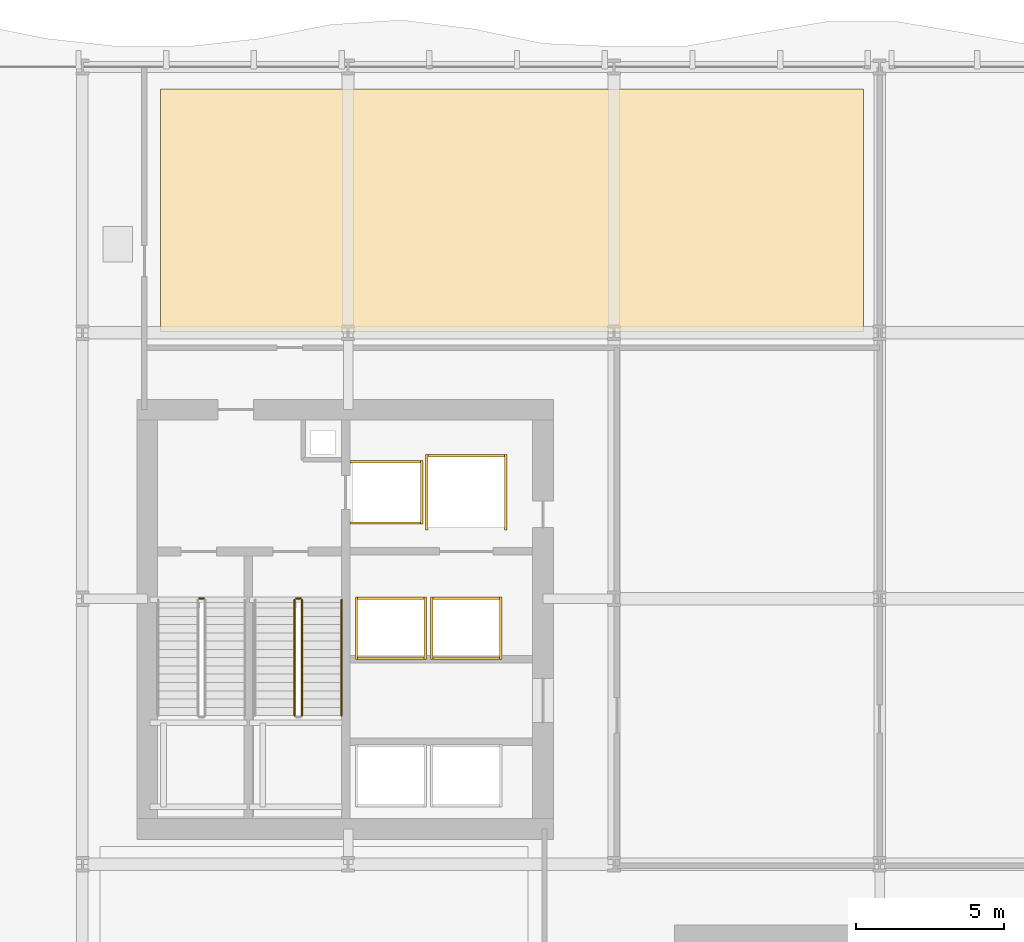
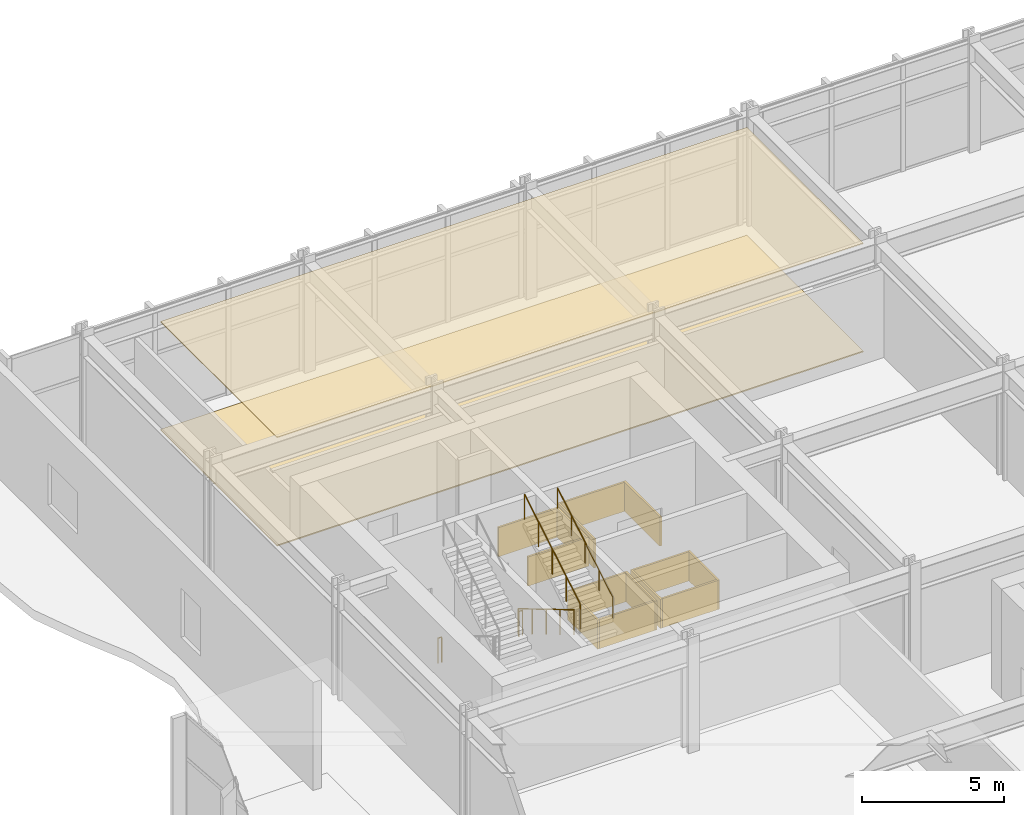
# One storey, part 26 of 28: 16 coverings, 5 railings.
"""IFC4 building model written with IfcOpenShell, lengths in metres."""

from ifc_helpers import new_model, si_unit, direction, frame, origin, origin_2d, place, context, subcontext, project, spatial, polyline, rectangle, circle, outline, extrude, material, layer, layer_set, type_object, element, save


model = new_model("IFC4")

# Units and contexts
model_context = context("Model", 3, precision=1e-05, world=origin(), true_north=direction((0.0, 1.0)))
body_context = subcontext(model_context, "Body", "Model", "MODEL_VIEW")
ifc_project = project(units=[si_unit("LENGTHUNIT", "METRE"), si_unit("AREAUNIT", "SQUARE_METRE"), si_unit("VOLUMEUNIT", "CUBIC_METRE"), si_unit("PLANEANGLEUNIT", "RADIAN"), si_unit("MASSUNIT", "GRAM", prefix="KILO")], contexts=[model_context])

# Site, building, storey
site_placement = place(None, origin())
site = spatial("IfcSite", under=ifc_project, at=site_placement, CompositionType="ELEMENT")
building_placement = place(site_placement, origin())
building = spatial("IfcBuilding", under=site, at=building_placement, Name="Solvaryn Broadcast Tower", CompositionType="ELEMENT")
storey_placement = place(building_placement, frame((0.0, 0.0, 16.199951171875)))
storey = spatial("IfcBuildingStorey", under=building, at=storey_placement, Name="L03", CompositionType="ELEMENT", Elevation=16.199951171875)

# Coverings
ifc_material_1 = material(Name="Studio Acoustic Mineral-Wool Baffle Ceiling", Category="concrete")
ifc_layer_1 = layer(ifc_material_1, 0.06005859375)
ifc_layer_set_1 = layer_set([ifc_layer_1], Name="CV-CEIL-BAFFLE")
covering_type_1 = type_object("IfcCoveringType", Name="CV-CEIL-BAFFLE", PredefinedType="CEILING", material=ifc_layer_set_1)
covering_1_placement = place(storey_placement, frame((0.0, 0.0, 4.64013671875)))
element("IfcCovering", 1, at=covering_1_placement, inside=storey, type_object=covering_type_1, Name="L03 Room Acoustic Ceiling 2", PredefinedType="CEILING", context=body_context, shape_type="SweptSolid", body=[
    extrude(outline(polyline([(11.64990234375, 45.050048828125), (35.449951171875, 45.050048828125), (35.449951171875, 53.25), (11.64990234375, 53.25), (11.64990234375, 45.050048828125)])), origin(), (0.0, 0.0, 1.0), 0.039794921875),
])
ifc_material_2 = material(Name="Isolated Broadcast Studio Floating Acoustic Floor", Category="concrete")
ifc_layer_2 = layer(ifc_material_2, 0.080078125)
ifc_layer_set_2 = layer_set([ifc_layer_2], Name="CV-FLOOR-STUDIO")
covering_type_2 = type_object("IfcCoveringType", Name="CV-FLOOR-STUDIO", PredefinedType="FLOORING", material=ifc_layer_set_2)
covering_2_placement = place(storey_placement, origin())
element("IfcCovering", 2, at=covering_2_placement, inside=storey, type_object=covering_type_2, Name="L03 Room Acoustic Floor Finish 2", PredefinedType="FLOORING", context=body_context, shape_type="SweptSolid", body=[
    extrude(outline(polyline([(11.64990234375, 45.050048828125), (35.449951171875, 45.050048828125), (35.449951171875, 53.25), (11.64990234375, 53.25), (11.64990234375, 45.050048828125)])), origin(), (0.0, 0.0, 1.0), 0.050048828125),
])
ifc_material_3 = material(Name="Fire-Rated Gypsum Shaftwall Liner", Category="concrete")
ifc_layer_3 = layer(ifc_material_3, 0.080078125)
ifc_layer_set_3 = layer_set([ifc_layer_3], Name="CV-SHAFT-LINER")
covering_type_3 = type_object("IfcCoveringType", Name="CV-SHAFT-LINER", PredefinedType="CLADDING", material=ifc_layer_set_3)
for number, where, z_axis, x_axis, name in (
    (3, (19.300048828125, 40.639892578125, 0.0), (0.0, 0.0, 1.0), (1.0, 0.0, 0.0), "L03 FL1 Hoistway Shaft Liner North"),
    (4, (19.300048828125, 38.56005859375, 0.0), (0.0, 0.0, 1.0), (1.0, 0.0, 0.0), "L03 FL1 Hoistway Shaft Liner South"),
):
    element("IfcCovering", number, at=place(storey_placement, frame(where, z_axis=z_axis, x_axis=x_axis)), inside=storey, type_object=covering_type_3, Name=name, PredefinedType="CLADDING", context=body_context, shape_type="SweptSolid", body=[
        extrude(rectangle(XDim=2.4599609375, YDim=0.080078125, at=origin_2d()), origin(), (0.0, 0.0, 1.0), 1.25),
    ])
covering_3_placement = place(storey_placement, frame((20.489990234375, 39.60009765625, 0.0), z_axis=(0.0, 0.0, 1.0), x_axis=(1.0, 0.0, 0.0)))
element("IfcCovering", 5, at=covering_3_placement, inside=storey, type_object=covering_type_3, Name="L03 FL1 Hoistway Shaft Liner East", PredefinedType="CLADDING", context=body_context, shape_type="SweptSolid", body=[
    extrude(rectangle(XDim=0.080078125, YDim=2.159912109375, at=origin_2d()), origin(), (0.0, 0.0, 1.0), 1.25),
])
covering_4_placement = place(storey_placement, frame((22.0, 40.840087890625, 0.0), z_axis=(0.0, 0.0, 1.0), x_axis=(1.0, 0.0, 0.0)))
element("IfcCovering", 6, at=covering_4_placement, inside=storey, type_object=covering_type_3, Name="L03 SV1 Hoistway Shaft Liner North", PredefinedType="CLADDING", context=body_context, shape_type="SweptSolid", body=[
    extrude(rectangle(XDim=2.760009765625, YDim=0.080078125, at=origin_2d()), origin(), (0.0, 0.0, 1.0), 1.25),
])
for number, where, z_axis, x_axis, name in (
    (7, (23.340087890625, 39.60009765625, 0.0), (0.0, 0.0, 1.0), (1.0, 0.0, 0.0), "L03 SV1 Hoistway Shaft Liner East"),
    (8, (20.659912109375, 39.60009765625, 0.0), (0.0, 0.0, 1.0), (1.0, 0.0, 0.0), "L03 SV1 Hoistway Shaft Liner West"),
):
    element("IfcCovering", number, at=place(storey_placement, frame(where, z_axis=z_axis, x_axis=x_axis)), inside=storey, type_object=covering_type_3, Name=name, PredefinedType="CLADDING", context=body_context, shape_type="SweptSolid", body=[
        extrude(rectangle(XDim=0.080078125, YDim=2.56005859375, at=origin_2d()), origin(), (0.0, 0.0, 1.0), 1.25),
    ])
for number, where, z_axis, x_axis, name in (
    (9, (19.449951171875, 36.014892578125, 0.0), (0.0, 0.0, 1.0), (1.0, 0.0, 0.0), "L03 PH3 Hoistway Shaft Liner North"),
    (10, (19.449951171875, 33.985107421875, 0.0), (0.0, 0.0, 1.0), (1.0, 0.0, 0.0), "L03 PH3 Hoistway Shaft Liner South"),
):
    element("IfcCovering", number, at=place(storey_placement, frame(where, z_axis=z_axis, x_axis=x_axis)), inside=storey, type_object=covering_type_3, Name=name, PredefinedType="CLADDING", context=body_context, shape_type="SweptSolid", body=[
        extrude(rectangle(XDim=2.409912109375, YDim=0.080078125, at=origin_2d()), origin(), (0.0, 0.0, 1.0), 1.25),
    ])
for number, where, z_axis, x_axis, name in (
    (11, (20.614990234375, 35.0, 0.0), (0.0, 0.0, 1.0), (1.0, 0.0, 0.0), "L03 PH3 Hoistway Shaft Liner East"),
    (12, (18.284912109375, 35.0, 0.0), (0.0, 0.0, 1.0), (1.0, 0.0, 0.0), "L03 PH3 Hoistway Shaft Liner West"),
):
    element("IfcCovering", number, at=place(storey_placement, frame(where, z_axis=z_axis, x_axis=x_axis)), inside=storey, type_object=covering_type_3, Name=name, PredefinedType="CLADDING", context=body_context, shape_type="SweptSolid", body=[
        extrude(rectangle(XDim=0.080078125, YDim=2.110107421875, at=origin_2d()), origin(), (0.0, 0.0, 1.0), 1.25),
    ])
for number, where, z_axis, x_axis, name in (
    (13, (22.0, 36.014892578125, 0.0), (0.0, 0.0, 1.0), (1.0, 0.0, 0.0), "L03 PH4 Hoistway Shaft Liner North"),
    (14, (22.0, 33.985107421875, 0.0), (0.0, 0.0, 1.0), (1.0, 0.0, 0.0), "L03 PH4 Hoistway Shaft Liner South"),
):
    element("IfcCovering", number, at=place(storey_placement, frame(where, z_axis=z_axis, x_axis=x_axis)), inside=storey, type_object=covering_type_3, Name=name, PredefinedType="CLADDING", context=body_context, shape_type="SweptSolid", body=[
        extrude(rectangle(XDim=2.409912109375, YDim=0.080078125, at=origin_2d()), origin(), (0.0, 0.0, 1.0), 1.25),
    ])
for number, where, z_axis, x_axis, name in (
    (15, (23.1650390625, 35.0, 0.0), (0.0, 0.0, 1.0), (1.0, 0.0, 0.0), "L03 PH4 Hoistway Shaft Liner East"),
    (16, (20.8349609375, 35.0, 0.0), (0.0, 0.0, 1.0), (1.0, 0.0, 0.0), "L03 PH4 Hoistway Shaft Liner West"),
):
    element("IfcCovering", number, at=place(storey_placement, frame(where, z_axis=z_axis, x_axis=x_axis)), inside=storey, type_object=covering_type_3, Name=name, PredefinedType="CLADDING", context=body_context, shape_type="SweptSolid", body=[
        extrude(rectangle(XDim=0.080078125, YDim=2.110107421875, at=origin_2d()), origin(), (0.0, 0.0, 1.0), 1.25),
    ])

# Railings
ifc_material_4 = material(Name="Painted Steel Stair Well Guard", Category="steel")
railing_type_1 = type_object("IfcRailingType", Name="RL-STAIR-GUARD", PredefinedType="BALUSTRADE", material=ifc_material_4)
railing_1_placement = place(storey_placement, frame((12.9599609375, 36.010009765625, 0.0)))
element("IfcRailing", 17, at=railing_1_placement, inside=storey, type_object=railing_type_1, Name="L03 ST1 stair guard 4", PredefinedType="BALUSTRADE", context=body_context, shape_type="SweptSolid", body=[
    extrude(circle(Radius=0.02392578125, at=origin_2d()), frame((0.0, 0.0, 1.076171875), z_axis=(1.0, 0.0, 0.0), x_axis=(0.0, 1.0, 0.0)), (0.0, 0.0, 1.0), 0.150146484375),
    extrude(circle(Radius=0.02099609375, at=origin_2d()), origin(), (0.0, 0.0, 1.0), 1.052001953125),
    extrude(circle(Radius=0.02099609375, at=origin_2d()), frame((0.150146484375, 0.0, 0.0)), (0.0, 0.0, 1.0), 1.052001953125),
])
railing_2_placement = place(storey_placement, frame((16.18994140625, 35.9599609375, 0.166748046875)))
element("IfcRailing", 18, at=railing_2_placement, inside=storey, type_object=railing_type_1, Name="L03 ST2 stair guard 1", PredefinedType="BALUSTRADE", context=body_context, shape_type="SweptSolid", body=[
    extrude(circle(Radius=0.02392578125, at=origin_2d()), frame((0.0, 0.0, 1.076171875), z_axis=(0.0, -0.859296244711, 0.511478214419), x_axis=(1.0, 0.0, 0.0)), (0.0, 0.0, 1.0), 4.561767578125),
    extrude(circle(Radius=0.02099609375, at=origin_2d()), origin(), (0.0, 0.0, 1.0), 1.052001953125),
    extrude(circle(Radius=0.02099609375, at=origin_2d()), frame((0.0, -0.97998046875, 0.583251953125)), (0.0, 0.0, 1.0), 1.052001953125),
    extrude(circle(Radius=0.02099609375, at=origin_2d()), frame((0.0, -1.9599609375, 1.16650390625)), (0.0, 0.0, 1.0), 1.052001953125),
    extrude(circle(Radius=0.02099609375, at=origin_2d()), frame((0.0, -2.93994140625, 1.75)), (0.0, 0.0, 1.0), 1.052001953125),
    extrude(circle(Radius=0.02099609375, at=origin_2d()), frame((0.0, -3.919921875, 2.333251953125)), (0.0, 0.0, 1.0), 1.052001953125),
])
railing_3_placement = place(storey_placement, frame((16.43994140625, 32.0400390625, 2.666748046875)))
element("IfcRailing", 19, at=railing_3_placement, inside=storey, type_object=railing_type_1, Name="L03 ST2 stair guard 3", PredefinedType="BALUSTRADE", context=body_context, shape_type="SweptSolid", body=[
    extrude(circle(Radius=0.02392578125, at=origin_2d()), frame((0.0, 0.0, 1.076171875), z_axis=(0.0, 0.859296244711, 0.511478214419), x_axis=(-1.0, 0.0, 0.0)), (0.0, 0.0, 1.0), 4.561767578125),
    extrude(circle(Radius=0.02099609375, at=origin_2d()), origin(), (0.0, 0.0, 1.0), 1.052001953125),
    extrude(circle(Radius=0.02099609375, at=origin_2d()), frame((0.0, 0.97998046875, 0.583251953125)), (0.0, 0.0, 1.0), 1.052001953125),
    extrude(circle(Radius=0.02099609375, at=origin_2d()), frame((0.0, 1.9599609375, 1.16650390625)), (0.0, 0.0, 1.0), 1.052001953125),
    extrude(circle(Radius=0.02099609375, at=origin_2d()), frame((0.0, 2.93994140625, 1.75)), (0.0, 0.0, 1.0), 1.052001953125),
    extrude(circle(Radius=0.02099609375, at=origin_2d()), frame((0.0, 3.919921875, 2.333251953125)), (0.0, 0.0, 1.0), 1.052001953125),
])
railing_4_placement = place(storey_placement, frame((16.239990234375, 36.010009765625, 0.0)))
element("IfcRailing", 20, at=railing_4_placement, inside=storey, type_object=railing_type_1, Name="L03 ST2 stair guard 4", PredefinedType="BALUSTRADE", context=body_context, shape_type="SweptSolid", body=[
    extrude(circle(Radius=0.02392578125, at=origin_2d()), frame((0.0, 0.0, 1.076171875), z_axis=(1.0, 0.0, 0.0), x_axis=(0.0, 1.0, 0.0)), (0.0, 0.0, 1.0), 0.14990234375),
    extrude(circle(Radius=0.02099609375, at=origin_2d()), origin(), (0.0, 0.0, 1.0), 1.052001953125),
    extrude(circle(Radius=0.02099609375, at=origin_2d()), frame((0.14990234375, 0.0, 0.0)), (0.0, 0.0, 1.0), 1.052001953125),
])
ifc_material_5 = material(Name="Brushed Stainless Steel Tubular Handrail", Category="steel")
railing_type_2 = type_object("IfcRailingType", Name="RL-STAIR-HANDRAIL", PredefinedType="HANDRAIL", material=ifc_material_5)
railing_5_placement = place(storey_placement, frame((17.780029296875, 32.0400390625, 2.666748046875)))
element("IfcRailing", 21, at=railing_5_placement, inside=storey, type_object=railing_type_2, Name="L03 ST2 stair handrail 2", PredefinedType="HANDRAIL", context=body_context, shape_type="SweptSolid", body=[
    extrude(circle(Radius=0.02392578125, at=origin_2d()), frame((0.0, 0.0, 0.8759765625), z_axis=(0.0, 0.859296244711, 0.511478214419), x_axis=(-1.0, 0.0, 0.0)), (0.0, 0.0, 1.0), 4.561767578125),
    extrude(circle(Radius=0.02099609375, at=origin_2d()), origin(), (0.0, 0.0, 1.0), 0.851806640625),
    extrude(circle(Radius=0.02099609375, at=origin_2d()), frame((0.0, 0.97998046875, 0.583251953125)), (0.0, 0.0, 1.0), 0.851806640625),
    extrude(circle(Radius=0.02099609375, at=origin_2d()), frame((0.0, 1.9599609375, 1.16650390625)), (0.0, 0.0, 1.0), 0.851806640625),
    extrude(circle(Radius=0.02099609375, at=origin_2d()), frame((0.0, 2.93994140625, 1.75)), (0.0, 0.0, 1.0), 0.851806640625),
    extrude(circle(Radius=0.02099609375, at=origin_2d()), frame((0.0, 3.919921875, 2.333251953125)), (0.0, 0.0, 1.0), 0.851806640625),
])

save(model, "model.ifc")
